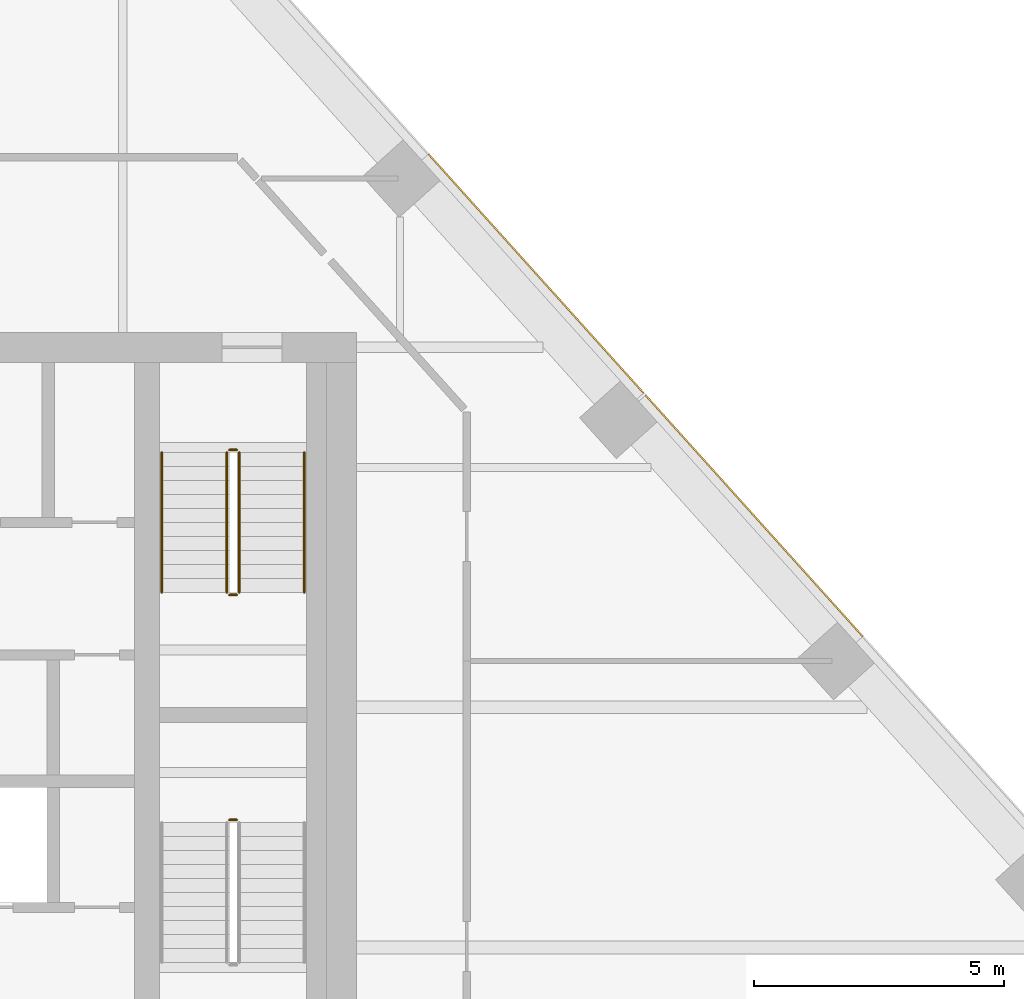
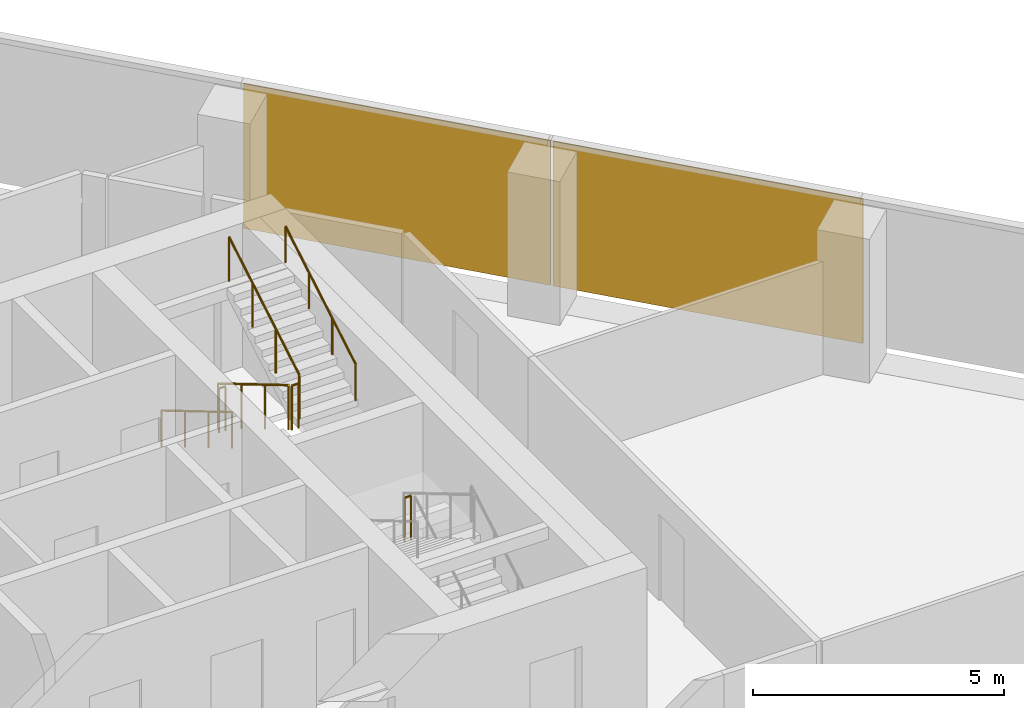
# One storey, part 15 of 15: 7 railings, 2 coverings, 1 element without a shape of its own.
"""IFC4 building model written with IfcOpenShell, lengths in metres."""

from ifc_helpers import new_model, si_unit, direction, frame, origin, origin_2d, place, context, subcontext, project, spatial, rectangle, circle, extrude, material, layer, layer_set, type_object, element, aggregate, save


model = new_model("IFC4")

# Units and contexts
model_context = context("Model", 3, precision=1e-05, world=origin(), true_north=direction((0.0, 1.0)))
body_context = subcontext(model_context, "Body", "Model", "MODEL_VIEW")
ifc_project = project(units=[si_unit("LENGTHUNIT", "METRE"), si_unit("AREAUNIT", "SQUARE_METRE"), si_unit("VOLUMEUNIT", "CUBIC_METRE"), si_unit("PLANEANGLEUNIT", "RADIAN"), si_unit("MASSUNIT", "GRAM", prefix="KILO")], contexts=[model_context])

# Site, building, storey
site_placement = place(None, origin())
site = spatial("IfcSite", under=ifc_project, at=site_placement, CompositionType="ELEMENT")
building_placement = place(site_placement, origin())
building = spatial("IfcBuilding", under=site, at=building_placement, Name="Isthmus Gate Tower", CompositionType="ELEMENT")
storey_placement = place(building_placement, frame((0.0, 0.0, 227.25)))
storey = spatial("IfcBuildingStorey", under=building, at=storey_placement, Name="L57", CompositionType="ELEMENT", Elevation=227.25)

# Curtain wall, coverings
ifc_material_1 = material(Name="Aluminium, pale champagne anodised", Category="aluminium")
ifc_layer_1 = layer(ifc_material_1, 0.199951171875)
ifc_layer_set_1 = layer_set([ifc_layer_1], Name="CW-1 UNITISED CURTAIN WALL 200 DEEP")
curtain_wall_type = type_object("IfcCurtainWallType", Name="CW-1 UNITISED CURTAIN WALL 200 DEEP", PredefinedType="NOTDEFINED", material=ifc_layer_set_1)
curtain_wall_placement = place(storey_placement, origin())
curtain_wall = element("IfcCurtainWall", 1, at=curtain_wall_placement, inside=storey, type_object=curtain_wall_type, Name="CW-1 NE L57", PredefinedType="NOTDEFINED")
ifc_material_2 = material(Name="Aluminium composite panel, pale champagne anodised", Category="aluminium")
ifc_layer_2 = layer(ifc_material_2, 0.031982421875)
ifc_layer_set_2 = layer_set([ifc_layer_2], Name="CW-1 PALE METAL PANEL 32")
covering_type = type_object("IfcCoveringType", Name="CW-1 PALE METAL PANEL 32", PredefinedType="CLADDING", material=ifc_layer_set_2)
covering_1_placement = place(storey_placement, frame((22.950927734375, 11.330810546875, 0.0), z_axis=(0.0, 0.0, 1.0), x_axis=(-0.669130606359, 0.743144825477, 0.0)))
covering_1 = element("IfcCovering", 2, at=covering_1_placement, type_object=covering_type, Name="CW-1 pale metal panel", PredefinedType="CLADDING", context=body_context, shape_type="SweptSolid", body=[
    extrude(rectangle(XDim=6.491943359375, YDim=0.031982421875, at=origin_2d()), origin(), (0.0, 0.0, 1.0), 3.52001953125),
])
covering_2_placement = place(storey_placement, frame((18.5869140625, 16.177734375, 0.0), z_axis=(0.0, 0.0, 1.0), x_axis=(-0.669130606359, 0.743144825477, 0.0)))
covering_2 = element("IfcCovering", 3, at=covering_2_placement, type_object=covering_type, Name="CW-1 pale metal panel", PredefinedType="CLADDING", context=body_context, shape_type="SweptSolid", body=[
    extrude(rectangle(XDim=6.431884765625, YDim=0.031982421875, at=origin_2d()), origin(), (0.0, 0.0, 1.0), 3.52001953125),
])
aggregate(curtain_wall, [covering_1, covering_2])

# Railings
ifc_material_3 = material(Name="Stainless steel balustrade", Category="steel")
railing_type_1 = type_object("IfcRailingType", Name="STAIR GUARD 1100", PredefinedType="GUARDRAIL", material=ifc_material_3)
railing_1_placement = place(storey_placement, frame((12.39990234375, 12.60009765625, 0.166015625)))
element("IfcRailing", 4, at=railing_1_placement, inside=storey, type_object=railing_type_1, Name="L57 ST2 stair guard 1", PredefinedType="GUARDRAIL", context=body_context, shape_type="SweptSolid", body=[
    extrude(circle(Radius=0.02392578125, at=origin_2d()), frame((0.0, 0.0, 1.076171875), z_axis=(0.0, -0.860339051648, 0.50972219513), x_axis=(1.0, 0.0, 0.0)), (0.0, 0.0, 1.0), 3.254638671875),
    extrude(circle(Radius=0.02099609375, at=origin_2d()), origin(), (0.0, 0.0, 1.0), 1.052001953125),
    extrude(circle(Radius=0.02099609375, at=origin_2d()), frame((0.0, -0.933349609375, 0.552978515625)), (0.0, 0.0, 1.0), 1.052001953125),
    extrude(circle(Radius=0.02099609375, at=origin_2d()), frame((0.0, -1.86669921875, 1.10595703125)), (0.0, 0.0, 1.0), 1.052001953125),
    extrude(circle(Radius=0.02099609375, at=origin_2d()), frame((0.0, -2.800048828125, 1.658935546875)), (0.0, 0.0, 1.0), 1.052001953125),
])
railing_2_placement = place(storey_placement, frame((12.449951171875, 9.75, 1.824951171875)))
element("IfcRailing", 5, at=railing_2_placement, inside=storey, type_object=railing_type_1, Name="L57 ST2 stair guard 2", PredefinedType="GUARDRAIL", context=body_context, shape_type="SweptSolid", body=[
    extrude(circle(Radius=0.02392578125, at=origin_2d()), frame((0.0, 0.0, 1.076171875), z_axis=(1.0, 0.0, 0.0), x_axis=(0.0, 1.0, 0.0)), (0.0, 0.0, 1.0), 0.150146484375),
    extrude(circle(Radius=0.02099609375, at=origin_2d()), origin(), (0.0, 0.0, 1.0), 1.052001953125),
    extrude(circle(Radius=0.02099609375, at=origin_2d()), frame((0.150146484375, 0.0, 0.0)), (0.0, 0.0, 1.0), 1.052001953125),
])
railing_3_placement = place(storey_placement, frame((12.64990234375, 9.800048828125, 1.990966796875)))
element("IfcRailing", 6, at=railing_3_placement, inside=storey, type_object=railing_type_1, Name="L57 ST2 stair guard 3", PredefinedType="GUARDRAIL", context=body_context, shape_type="SweptSolid", body=[
    extrude(circle(Radius=0.02392578125, at=origin_2d()), frame((0.0, 0.0, 1.076171875), z_axis=(0.0, 0.860339051648, 0.50972219513), x_axis=(-1.0, 0.0, 0.0)), (0.0, 0.0, 1.0), 3.254638671875),
    extrude(circle(Radius=0.02099609375, at=origin_2d()), origin(), (0.0, 0.0, 1.0), 1.052001953125),
    extrude(circle(Radius=0.02099609375, at=origin_2d()), frame((0.0, 0.933349609375, 0.552978515625)), (0.0, 0.0, 1.0), 1.052001953125),
    extrude(circle(Radius=0.02099609375, at=origin_2d()), frame((0.0, 1.86669921875, 1.10595703125)), (0.0, 0.0, 1.0), 1.052001953125),
    extrude(circle(Radius=0.02099609375, at=origin_2d()), frame((0.0, 2.800048828125, 1.658935546875)), (0.0, 0.0, 1.0), 1.052001953125),
])
railing_4_placement = place(storey_placement, frame((12.449951171875, 12.64990234375, 0.0)))
element("IfcRailing", 7, at=railing_4_placement, inside=storey, type_object=railing_type_1, Name="L57 ST2 stair guard 4", PredefinedType="GUARDRAIL", context=body_context, shape_type="SweptSolid", body=[
    extrude(circle(Radius=0.02392578125, at=origin_2d()), frame((0.0, 0.0, 1.076171875), z_axis=(1.0, 0.0, 0.0), x_axis=(0.0, 1.0, 0.0)), (0.0, 0.0, 1.0), 0.150146484375),
    extrude(circle(Radius=0.02099609375, at=origin_2d()), origin(), (0.0, 0.0, 1.0), 1.052001953125),
    extrude(circle(Radius=0.02099609375, at=origin_2d()), frame((0.150146484375, 0.0, 0.0)), (0.0, 0.0, 1.0), 1.052001953125),
])
railing_5_placement = place(storey_placement, frame((12.60009765625, 5.25, 1.824951171875)))
element("IfcRailing", 8, at=railing_5_placement, inside=storey, type_object=railing_type_1, Name="L57 ST8 stair guard 2", PredefinedType="GUARDRAIL", context=body_context, shape_type="SweptSolid", body=[
    extrude(circle(Radius=0.02392578125, at=origin_2d()), frame((0.0, 0.0, 1.076171875), z_axis=(-1.0, 0.0, 0.0), x_axis=(0.0, -1.0, 0.0)), (0.0, 0.0, 1.0), 0.150146484375),
    extrude(circle(Radius=0.02099609375, at=origin_2d()), origin(), (0.0, 0.0, 1.0), 1.052001953125),
    extrude(circle(Radius=0.02099609375, at=origin_2d()), frame((-0.150146484375, 0.0, 0.0)), (0.0, 0.0, 1.0), 1.052001953125),
])
ifc_material_4 = material(Name="Stainless steel handrail", Category="steel")
railing_type_2 = type_object("IfcRailingType", Name="STAIR HANDRAIL 900", PredefinedType="HANDRAIL", material=ifc_material_4)
railing_6_placement = place(storey_placement, frame((11.10009765625, 12.60009765625, 0.166015625)))
element("IfcRailing", 9, at=railing_6_placement, inside=storey, type_object=railing_type_2, Name="L57 ST2 stair handrail 1", PredefinedType="HANDRAIL", context=body_context, shape_type="SweptSolid", body=[
    extrude(circle(Radius=0.02392578125, at=origin_2d()), frame((0.0, 0.0, 0.8759765625), z_axis=(0.0, -0.860339051648, 0.50972219513), x_axis=(1.0, 0.0, 0.0)), (0.0, 0.0, 1.0), 3.254638671875),
    extrude(circle(Radius=0.02099609375, at=origin_2d()), origin(), (0.0, 0.0, 1.0), 0.851806640625),
    extrude(circle(Radius=0.02099609375, at=origin_2d()), frame((0.0, -0.933349609375, 0.552978515625)), (0.0, 0.0, 1.0), 0.851806640625),
    extrude(circle(Radius=0.02099609375, at=origin_2d()), frame((0.0, -1.86669921875, 1.10595703125)), (0.0, 0.0, 1.0), 0.851806640625),
    extrude(circle(Radius=0.02099609375, at=origin_2d()), frame((0.0, -2.800048828125, 1.658935546875)), (0.0, 0.0, 1.0), 0.851806640625),
])
railing_7_placement = place(storey_placement, frame((13.949951171875, 9.800048828125, 1.990966796875)))
element("IfcRailing", 10, at=railing_7_placement, inside=storey, type_object=railing_type_2, Name="L57 ST2 stair handrail 2", PredefinedType="HANDRAIL", context=body_context, shape_type="SweptSolid", body=[
    extrude(circle(Radius=0.02392578125, at=origin_2d()), frame((0.0, 0.0, 0.8759765625), z_axis=(0.0, 0.860339051648, 0.50972219513), x_axis=(-1.0, 0.0, 0.0)), (0.0, 0.0, 1.0), 3.254638671875),
    extrude(circle(Radius=0.02099609375, at=origin_2d()), origin(), (0.0, 0.0, 1.0), 0.851806640625),
    extrude(circle(Radius=0.02099609375, at=origin_2d()), frame((0.0, 0.933349609375, 0.552978515625)), (0.0, 0.0, 1.0), 0.851806640625),
    extrude(circle(Radius=0.02099609375, at=origin_2d()), frame((0.0, 1.86669921875, 1.10595703125)), (0.0, 0.0, 1.0), 0.851806640625),
    extrude(circle(Radius=0.02099609375, at=origin_2d()), frame((0.0, 2.800048828125, 1.658935546875)), (0.0, 0.0, 1.0), 0.851806640625),
])

save(model, "model.ifc")
